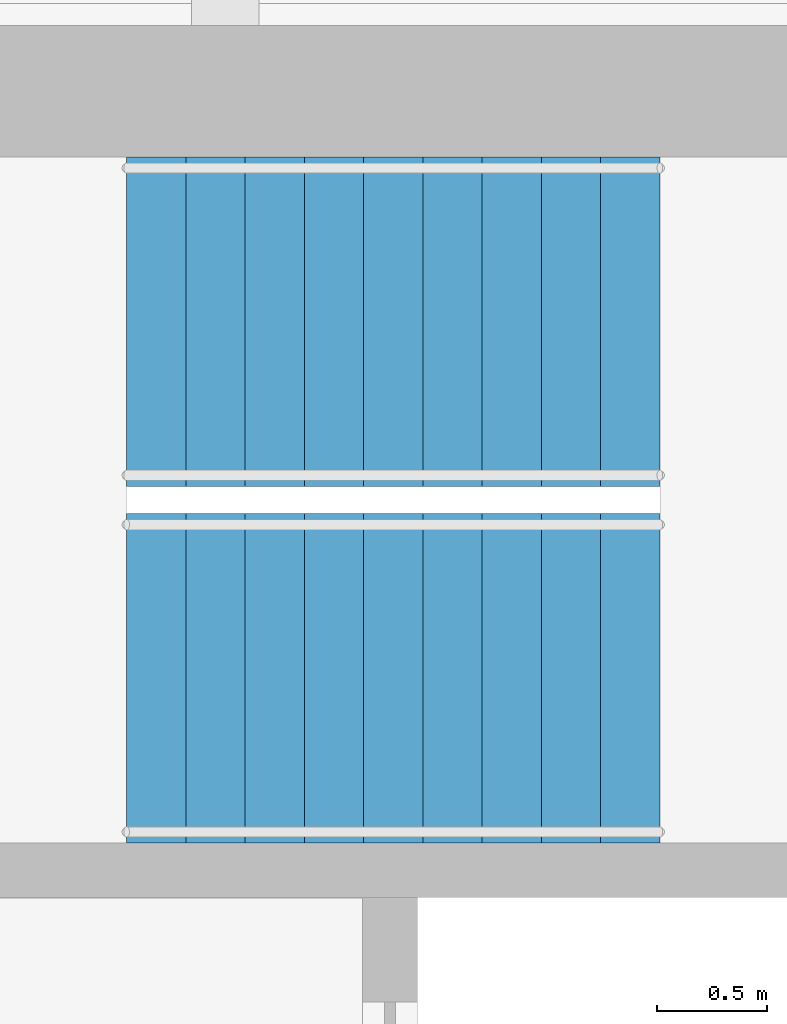
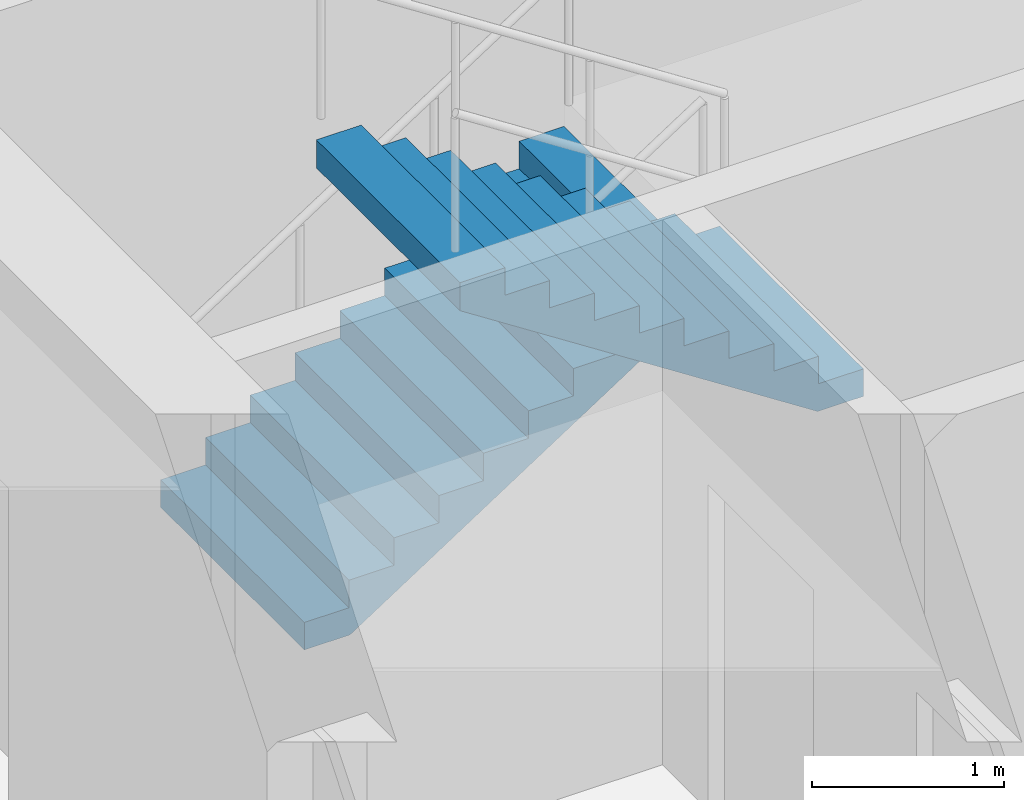
# One storey, part 16 of 21: 2 stair flights, 1 element without a shape of its own.
"""IFC4 building model written with IfcOpenShell, lengths in metres."""

from ifc_helpers import new_model, si_unit, direction, frame, origin, place, context, subcontext, project, spatial, polyline, outline, extrude, material, type_object, element, aggregate, save


model = new_model("IFC4")

# Units and contexts
model_context = context("Model", 3, precision=1e-05, world=origin(), true_north=direction((0.0, 1.0)))
body_context = subcontext(model_context, "Body", "Model", "MODEL_VIEW")
ifc_project = project(units=[si_unit("LENGTHUNIT", "METRE"), si_unit("AREAUNIT", "SQUARE_METRE"), si_unit("VOLUMEUNIT", "CUBIC_METRE"), si_unit("PLANEANGLEUNIT", "RADIAN"), si_unit("MASSUNIT", "GRAM", prefix="KILO")], contexts=[model_context])

# Site, building, storey
site_placement = place(None, origin())
site = spatial("IfcSite", under=ifc_project, at=site_placement, CompositionType="ELEMENT")
building_placement = place(site_placement, origin())
building = spatial("IfcBuilding", under=site, at=building_placement, Name="Msasa Ring Tower", CompositionType="ELEMENT")
storey_placement = place(building_placement, frame((0.0, 0.0, 37.0)))
storey = spatial("IfcBuildingStorey", under=building, at=storey_placement, Name="L08", CompositionType="ELEMENT", Elevation=37.0)

# Stair, stair flights
ifc_material_1 = material(Name="Concrete C40/50", Category="concrete")
stair_type = type_object("IfcStairType", Name="STC CORE STAIR 20 RISERS 175", PredefinedType="HALF_TURN_STAIR", material=ifc_material_1)
stair_placement = place(storey_placement, origin())
stair = element("IfcStair", 1, at=stair_placement, inside=storey, type_object=stair_type, Name="Core stair SEB L08", PredefinedType="HALF_TURN_STAIR")
ifc_material_2 = material(Name="Concrete C40/50", Category="concrete")
stair_flight_type = type_object("IfcStairFlightType", Name="ST12 CORE STAIR FLIGHT 1500 10 RISERS 175", PredefinedType="STRAIGHT", material=ifc_material_2)
stair_flight_1_placement = place(storey_placement, frame((10.800048828125, 5.699951171875, 0.0), z_axis=(0.0, 0.0, 1.0), x_axis=(1.0, 0.0, 0.0)))
stair_flight_1 = element("IfcStairFlight", 2, at=stair_flight_1_placement, type_object=stair_flight_type, Name="SEB flight 1", NumberOfRisers=10, NumberOfTreads=9, PredefinedType="STRAIGHT", RiserHeight=0.175, TreadLength=0.27, context=body_context, shape_type="SweptSolid", body=[
    extrude(outline(polyline([(0.0, 0.0), (0.0, 0.175048828125), (0.27001953125, 0.175048828125), (0.27001953125, 0.35009765625), (0.5400390625, 0.35009765625), (0.5400390625, 0.52490234375), (0.81005859375, 0.52490234375), (0.81005859375, 0.699951171875), (1.080078125, 0.699951171875), (1.080078125, 0.875), (1.35009765625, 0.875), (1.35009765625, 1.050048828125), (1.6201171875, 1.050048828125), (1.6201171875, 1.22509765625), (1.889892578125, 1.22509765625), (1.889892578125, 1.39990234375), (2.159912109375, 1.39990234375), (2.159912109375, 1.574951171875), (2.429931640625, 1.574951171875), (2.429931640625, 1.75), (2.429931640625, 1.396484375), (0.275634765625, 0.0), (0.0, 0.0)])), frame((0.0, 0.75, 0.0), z_axis=(0.0, -1.0, 0.0), x_axis=(1.0, 0.0, 0.0)), (0.0, 0.0, 1.0), 1.5),
])
stair_flight_2_placement = place(storey_placement, frame((13.22998046875, 4.074951171875, 1.75), z_axis=(0.0, 0.0, 1.0), x_axis=(-1.0, 0.0, 0.0)))
stair_flight_2 = element("IfcStairFlight", 3, at=stair_flight_2_placement, type_object=stair_flight_type, Name="SEB flight 2", NumberOfRisers=10, NumberOfTreads=9, PredefinedType="STRAIGHT", RiserHeight=0.175, TreadLength=0.27, context=body_context, shape_type="SweptSolid", body=[
    extrude(outline(polyline([(0.0, 0.0), (0.0, 0.175048828125), (0.27001953125, 0.175048828125), (0.27001953125, 0.35009765625), (0.5400390625, 0.35009765625), (0.5400390625, 0.52490234375), (0.81005859375, 0.52490234375), (0.81005859375, 0.699951171875), (1.080078125, 0.699951171875), (1.080078125, 0.875), (1.35009765625, 0.875), (1.35009765625, 1.050048828125), (1.6201171875, 1.050048828125), (1.6201171875, 1.22509765625), (1.889892578125, 1.22509765625), (1.889892578125, 1.39990234375), (2.159912109375, 1.39990234375), (2.159912109375, 1.574951171875), (2.429931640625, 1.574951171875), (2.429931640625, 1.75), (2.429931640625, 1.396484375), (0.275634765625, 0.0), (0.0, 0.0)])), frame((0.0, 0.75, 0.0), z_axis=(0.0, -1.0, 0.0), x_axis=(1.0, 0.0, 0.0)), (0.0, 0.0, 1.0), 1.5),
])
aggregate(stair, [stair_flight_1, stair_flight_2])

save(model, "model.ifc")
